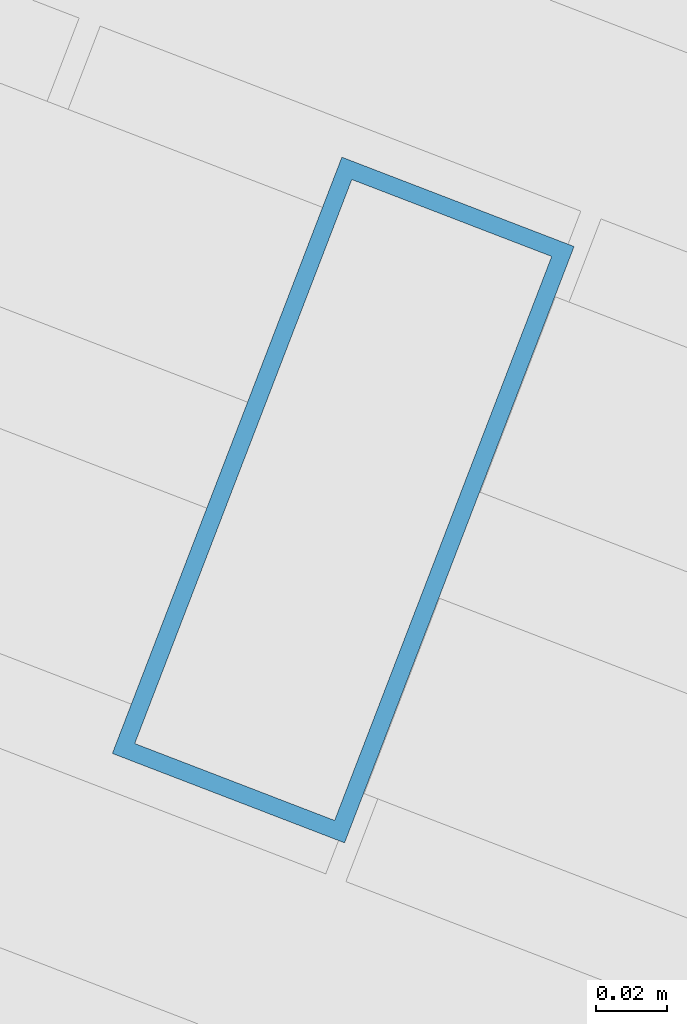
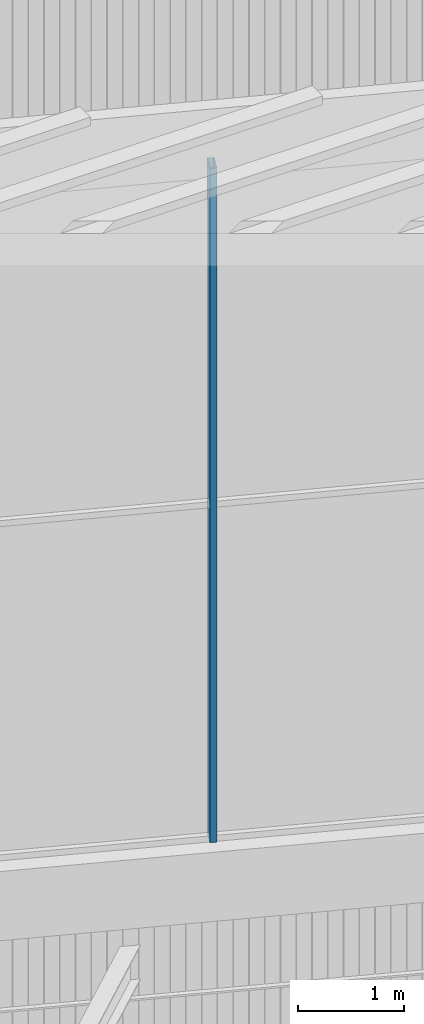
# One storey, part 57 of 117: 1 member, 1 element without a shape of its own.
"""IFC4 building model written with IfcOpenShell, lengths in metres."""

from ifc_helpers import new_model, si_unit, direction, frame, origin, origin_2d, place, context, subcontext, project, spatial, hollow_rectangle, extrude, material, layer, layer_set, material_profile, profile_set, type_object, element, aggregate, save


model = new_model("IFC4")

# Units and contexts
model_context = context("Model", 3, precision=1e-05, world=origin(), true_north=direction((0.0, 1.0)))
body_context = subcontext(model_context, "Body", "Model", "MODEL_VIEW")
ifc_project = project(units=[si_unit("LENGTHUNIT", "METRE"), si_unit("AREAUNIT", "SQUARE_METRE"), si_unit("VOLUMEUNIT", "CUBIC_METRE"), si_unit("PLANEANGLEUNIT", "RADIAN"), si_unit("MASSUNIT", "GRAM", prefix="KILO")], contexts=[model_context])

# Site, building, storey
site_placement = place(None, origin())
site = spatial("IfcSite", under=ifc_project, at=site_placement, CompositionType="ELEMENT")
building_placement = place(site_placement, origin())
building = spatial("IfcBuilding", under=site, at=building_placement, Name="Tarsis Ring Headquarters", CompositionType="ELEMENT")
storey_placement = place(building_placement, frame((0.0, 0.0, 403.60009765625)))
storey = spatial("IfcBuildingStorey", under=building, at=storey_placement, Name="L95", CompositionType="ELEMENT", Elevation=403.60009765625)

# Curtain wall, member
ifc_material_1 = material(Name="Aluminium curtain wall", Category="aluminium")
ifc_layer = layer(ifc_material_1, 0.179931640625)
ifc_layer_set = layer_set([ifc_layer], Name="Curtain wall crown glazing")
curtain_wall_type = type_object("IfcCurtainWallType", Name="Curtain wall crown glazing", PredefinedType="NOTDEFINED", material=ifc_layer_set)
curtain_wall_placement = place(storey_placement, origin())
curtain_wall = element("IfcCurtainWall", 1, at=curtain_wall_placement, inside=storey, type_object=curtain_wall_type, Name="Crown glazing L9", PredefinedType="NOTDEFINED")
ifc_material_2 = material(Name="Aluminium mullion", Category="aluminium")
ifc_material_profile = material_profile(ifc_material_2, hollow_rectangle(XDim=0.179931640625, YDim=0.070068359375, WallThickness=0.0048828125, at=origin_2d()), Name="RHS 180x70x5")
ifc_profile_set = profile_set([ifc_material_profile], Name="Aluminium mullion")
member_type = type_object("IfcMemberType", Name="Crown glazing mullion RHS 180x70x5", PredefinedType="MULLION", material=ifc_profile_set)
member_placement = place(storey_placement, frame((7.55517578125, 27.518310546875, 5.7998046875), z_axis=(0.0, 0.0, 1.0), x_axis=(-0.359202780717, -0.933259536423, 0.0)))
member = element("IfcMember", 2, at=member_placement, type_object=member_type, Name="CW-C mullion 4", PredefinedType="MULLION", context=body_context, shape_type="SweptSolid", body=[
    extrude(hollow_rectangle(XDim=0.179931640625, YDim=0.070068359375, WallThickness=0.0048828125, at=origin_2d()), origin(), (0.0, 0.0, 1.0), 7.800048828125),
])
aggregate(curtain_wall, [member])

save(model, "model.ifc")
